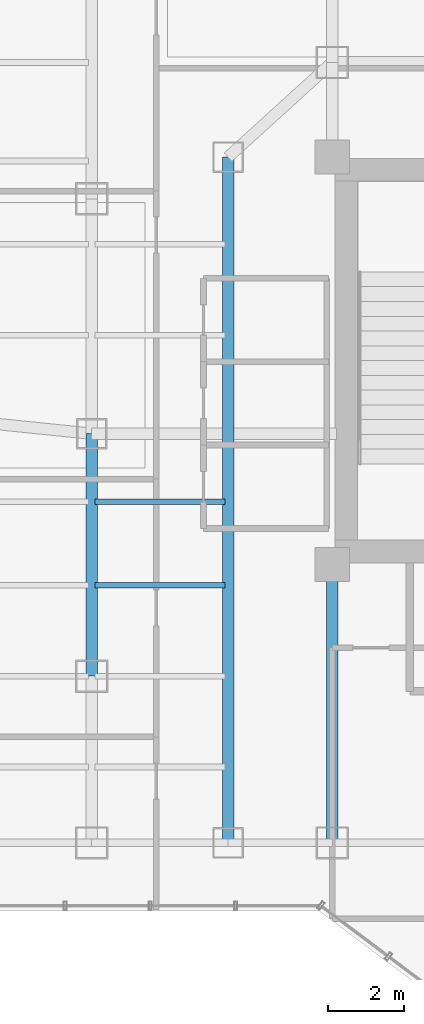
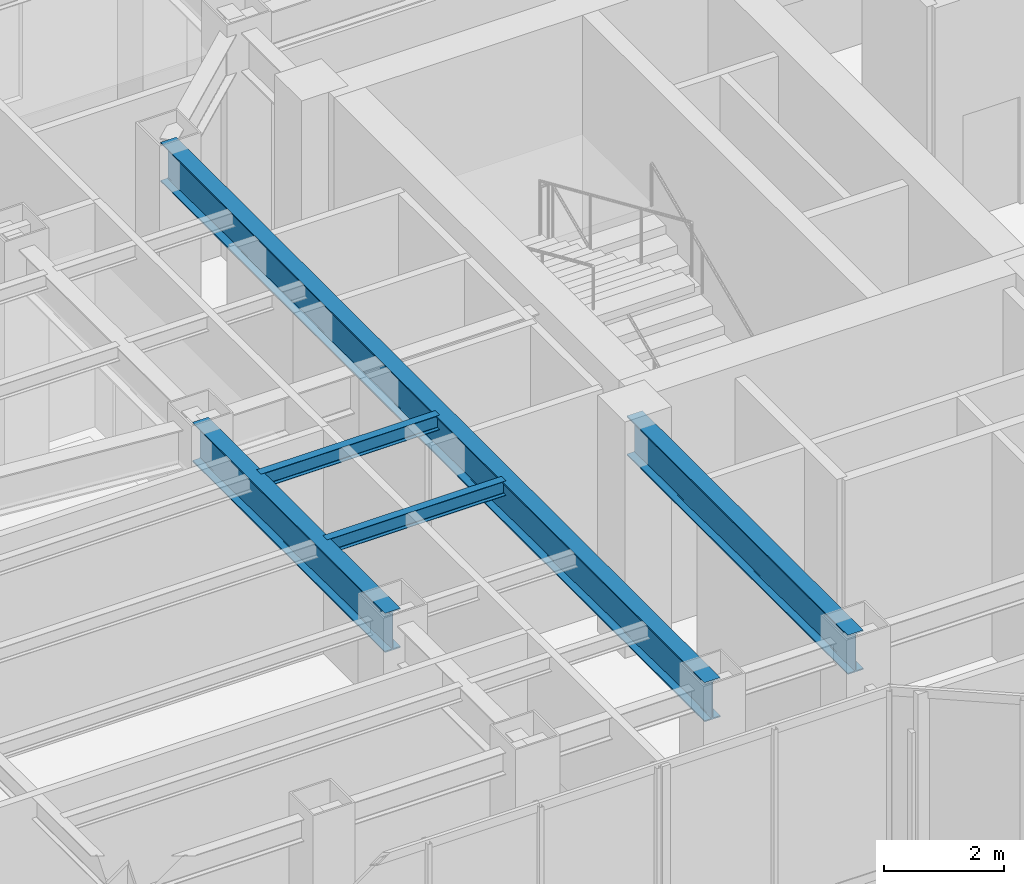
# One storey, part 7 of 30: 5 beams.
"""IFC4 building model written with IfcOpenShell, lengths in metres."""

from ifc_helpers import new_model, si_unit, direction, frame, origin, origin_2d, place, context, subcontext, project, spatial, i_section, extrude, material, material_profile, profile_set, type_object, element, save


model = new_model("IFC4")

# Units and contexts
model_context = context("Model", 3, precision=1e-05, world=origin(), true_north=direction((0.0, 1.0)))
body_context = subcontext(model_context, "Body", "Model", "MODEL_VIEW")
ifc_project = project(units=[si_unit("LENGTHUNIT", "METRE"), si_unit("AREAUNIT", "SQUARE_METRE"), si_unit("VOLUMEUNIT", "CUBIC_METRE"), si_unit("PLANEANGLEUNIT", "RADIAN"), si_unit("MASSUNIT", "GRAM", prefix="KILO")], contexts=[model_context])

# Site, building, storey
site_placement = place(None, origin())
site = spatial("IfcSite", under=ifc_project, at=site_placement, CompositionType="ELEMENT")
building_placement = place(site_placement, origin())
building = spatial("IfcBuilding", under=site, at=building_placement, Name="Hatsunagi Terrace Concourse", CompositionType="ELEMENT")
storey_placement = place(building_placement, frame((0.0, 0.0, 130.050048828125)))
storey = spatial("IfcBuildingStorey", under=building, at=storey_placement, Name="L34", CompositionType="ELEMENT", Elevation=130.050048828125)

# Beams
ifc_material_1 = material(Name="Steel SN490B", Category="steel")
ifc_material_profile_1 = material_profile(ifc_material_1, i_section(OverallWidth=0.14990234375, OverallDepth=0.300048828125, WebThickness=0.006591796875, FlangeThickness=0.009033203125, FilletRadius=0.010986328125, at=origin_2d()), Name="H-300x150x6.5x9")
ifc_profile_set_1 = profile_set([ifc_material_profile_1], Name="Steel SN490B")
beam_type_1 = type_object("IfcBeamType", Name="OfficeJoist_H_300x150", PredefinedType="JOIST", material=ifc_profile_set_1)
for number, where, z_axis, x_axis, name in (
    (1, (19.284912109375, 32.0, 4.39990234375), (1.0, 0.0, 0.0), (0.0, 1.0, 0.0), "Beam J-03 J-L34-W-19-320"),
    (2, (19.284912109375, 34.199951171875, 4.39990234375), (1.0, 0.0, 0.0), (0.0, 1.0, 0.0), "Beam J-03 J-L34-W-19-342"),
):
    element("IfcBeam", number, at=place(storey_placement, frame(where, z_axis=z_axis, x_axis=x_axis)), inside=storey, type_object=beam_type_1, Name=name, PredefinedType="JOIST", context=body_context, shape_type="SweptSolid", body=[
        extrude(i_section(OverallWidth=0.14990234375, OverallDepth=0.300048828125, WebThickness=0.006591796875, FlangeThickness=0.009033203125, FilletRadius=0.010986328125, at=origin_2d()), origin(), (0.0, 0.0, 1.0), 3.43017578125),
    ])
ifc_material_2 = material(Name="Steel SN490B", Category="steel")
ifc_material_profile_2 = material_profile(ifc_material_2, i_section(OverallWidth=0.300048828125, OverallDepth=0.800048828125, WebThickness=0.013916015625, FlangeThickness=0.02587890625, FilletRadius=0.02197265625, at=origin_2d()), Name="H-800x300x14x26")
ifc_profile_set_2 = profile_set([ifc_material_profile_2], Name="Steel SN490B")
beam_type_2 = type_object("IfcBeamType", Name="SkyLobbyGirder_H_800x300", PredefinedType="BEAM", material=ifc_profile_set_2)
beam_1_placement = place(storey_placement, frame((25.550048828125, 25.199951171875, 4.14990234375), z_axis=(0.0, 1.0, 0.0), x_axis=(-1.0, 0.0, 0.0)))
element("IfcBeam", 3, at=beam_1_placement, inside=storey, type_object=beam_type_2, Name="Beam G-03 BM-L34-K1CA", PredefinedType="BEAM", context=body_context, shape_type="SweptSolid", body=[
    extrude(i_section(OverallWidth=0.300048828125, OverallDepth=0.800048828125, WebThickness=0.013916015625, FlangeThickness=0.02587890625, FilletRadius=0.02197265625, at=origin_2d()), origin(), (0.0, 0.0, 1.0), 7.35009765625),
])
beam_2_placement = place(storey_placement, frame((22.800048828125, 25.199951171875, 4.14990234375), z_axis=(0.0, 1.0, 0.0), x_axis=(-1.0, 0.0, 0.0)))
element("IfcBeam", 4, at=beam_2_placement, inside=storey, type_object=beam_type_2, Name="Beam G-03 BM-L34-CWNS", PredefinedType="BEAM", context=body_context, shape_type="SweptSolid", body=[
    extrude(i_section(OverallWidth=0.300048828125, OverallDepth=0.800048828125, WebThickness=0.013916015625, FlangeThickness=0.02587890625, FilletRadius=0.02197265625, at=origin_2d()), origin(), (0.0, 0.0, 1.0), 18.10009765625),
])
beam_3_placement = place(storey_placement, frame((19.199951171875, 29.60009765625, 4.14990234375), z_axis=(0.0, 1.0, 0.0), x_axis=(-1.0, 0.0, 0.0)))
element("IfcBeam", 5, at=beam_3_placement, inside=storey, type_object=beam_type_2, Name="Beam G-03 BM-L34-NS-19-29", PredefinedType="BEAM", context=body_context, shape_type="SweptSolid", body=[
    extrude(i_section(OverallWidth=0.300048828125, OverallDepth=0.800048828125, WebThickness=0.013916015625, FlangeThickness=0.02587890625, FilletRadius=0.02197265625, at=origin_2d()), origin(), (0.0, 0.0, 1.0), 6.39990234375),
])

save(model, "model.ifc")
